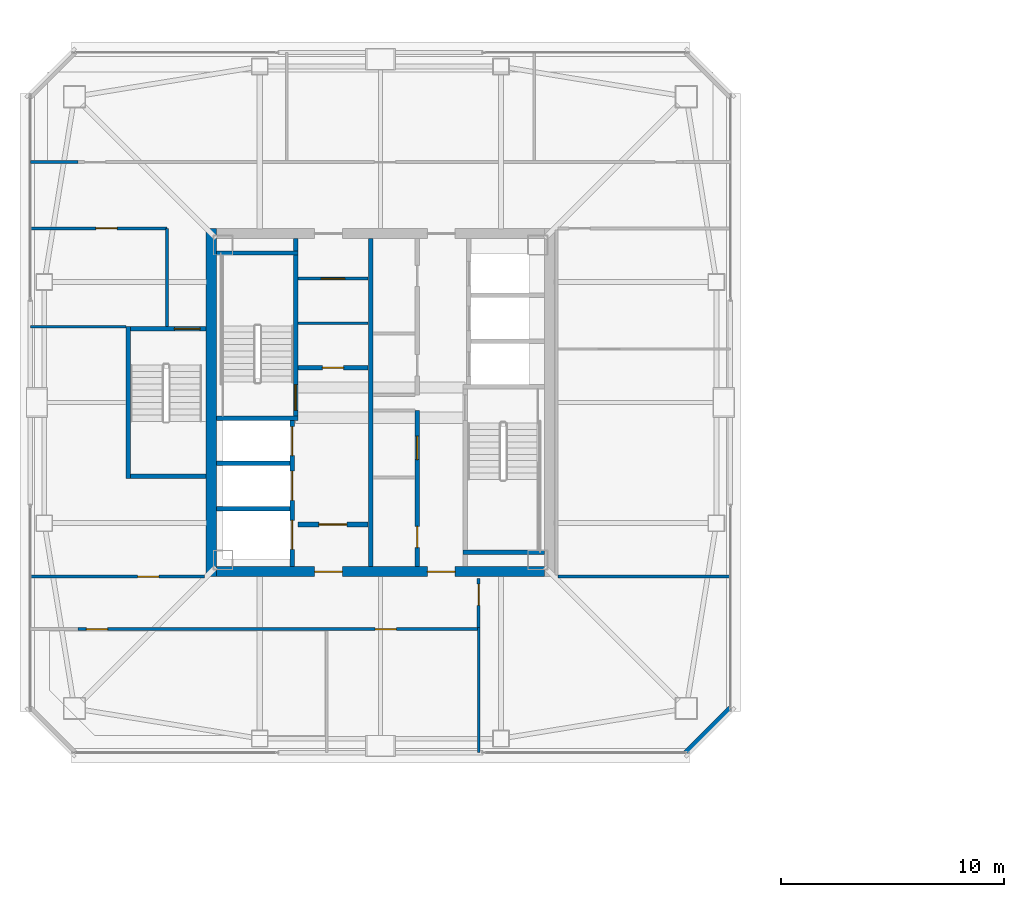
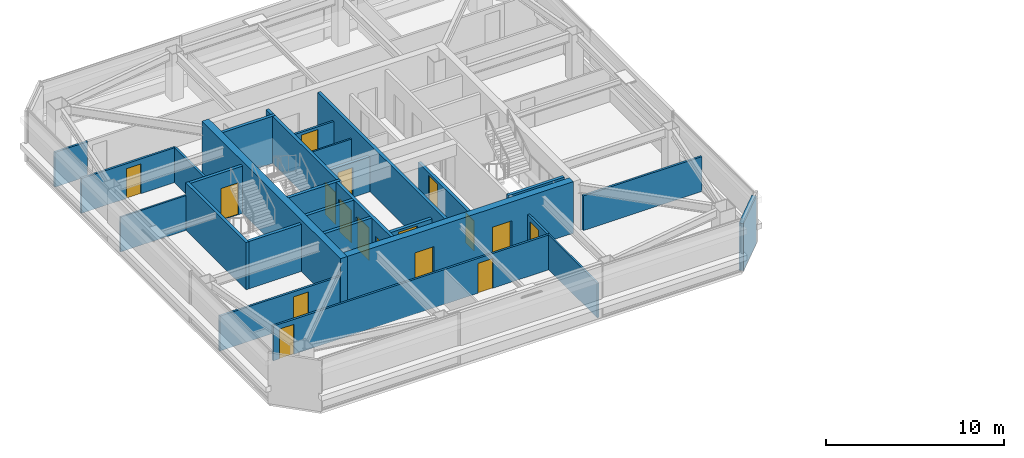
# One storey, part 29 of 39: 28 walls, 17 doors, 17 openings.
"""IFC4 building model written with IfcOpenShell, lengths in metres."""

from ifc_helpers import new_model, si_unit, direction, frame, frame_2d, origin, place, context, subcontext, project, spatial, rectangle, extrude, material, layer, layer_set, type_object, element, fill, save


model = new_model("IFC4")

# Units and contexts
model_context = context("Model", 3, precision=1e-05, world=origin(), true_north=direction((0.0, 1.0)))
body_context = subcontext(model_context, "Body", "Model", "MODEL_VIEW")
ifc_project = project(units=[si_unit("LENGTHUNIT", "METRE"), si_unit("AREAUNIT", "SQUARE_METRE"), si_unit("VOLUMEUNIT", "CUBIC_METRE"), si_unit("PLANEANGLEUNIT", "RADIAN"), si_unit("MASSUNIT", "GRAM", prefix="KILO")], contexts=[model_context])

# Site, building, storey
site_placement = place(None, origin())
site = spatial("IfcSite", under=ifc_project, at=site_placement, CompositionType="ELEMENT")
building_placement = place(site_placement, origin())
building = spatial("IfcBuilding", under=site, at=building_placement, Name="Tashvorn Skyway Center", CompositionType="ELEMENT")
storey_placement = place(building_placement, frame((0.0, 0.0, 243.25)))
storey = spatial("IfcBuildingStorey", under=building, at=storey_placement, Name="L66", CompositionType="ELEMENT", Elevation=243.25)

# Wall
ifc_material_1 = material(Name="Concrete C50/60", Category="concrete")
ifc_layer_1 = layer(ifc_material_1, 0.449951171875)
ifc_layer_set_1 = layer_set([ifc_layer_1], Name="Concrete C50/60")
wall_type_1 = type_object("IfcWallType", Name="WALL-CORE-450", PredefinedType="SHEAR", material=ifc_layer_set_1)
wall_1_placement = place(storey_placement, frame((34.425048828125, 24.199951171875, 0.0), z_axis=(0.0, 0.0, 1.0), x_axis=(0.0, 1.0, 0.0)))
element("IfcWall", 1, at=wall_1_placement, inside=storey, type_object=wall_type_1, Name="Tower 1 L66 West Core Shear Wall", PredefinedType="SHEAR", context=body_context, shape_type="SweptSolid", body=[
    extrude(rectangle(XDim=15.60009765625, YDim=0.449951171875, at=frame_2d((7.800048828125, 0.0))), origin(), (0.0, 0.0, 1.0), 3.550048828125),
])

# Wall, openings, doors
wall_2_placement = place(storey_placement, frame((49.35009765625, 24.425048828125, 0.0), z_axis=(0.0, 0.0, 1.0), x_axis=(-1.0, 0.0, 0.0)))
wall_2 = element("IfcWall", 2, at=wall_2_placement, inside=storey, type_object=wall_type_1, Name="Tower 1 L66 South Core Shear Wall", PredefinedType="SHEAR", context=body_context, shape_type="SweptSolid", body=[
    extrude(rectangle(XDim=14.7001953125, YDim=0.449951171875, at=frame_2d((7.35009765625, 0.0))), origin(), (0.0, 0.0, 1.0), 3.550048828125),
])
opening_1_placement = place(wall_2_placement, frame((9.050048828125, 0.0, 0.0)))
opening_1 = element("IfcOpeningElement", 3, at=opening_1_placement, cuts=wall_2, Name="Opening D-FFL-1250", PredefinedType="OPENING", context=body_context, shape_type="SweptSolid", body=[
    extrude(rectangle(XDim=1.25, YDim=2.25, at=frame_2d((0.625, 1.125))), frame((0.0, 0.23486328125, 0.0), z_axis=(0.0, -1.0, 0.0), x_axis=(1.0, 0.0, 0.0)), (0.0, 0.0, 1.0), 0.469970703125),
])
opening_2_placement = place(wall_2_placement, frame((4.0, 0.0, 0.0)))
opening_2 = element("IfcOpeningElement", 4, at=opening_2_placement, cuts=wall_2, Name="Opening D-FFL-1250", PredefinedType="OPENING", context=body_context, shape_type="SweptSolid", body=[
    extrude(rectangle(XDim=1.25, YDim=2.25, at=frame_2d((0.625, 1.125))), frame((0.0, 0.23486328125, 0.0), z_axis=(0.0, -1.0, 0.0), x_axis=(1.0, 0.0, 0.0)), (0.0, 0.0, 1.0), 0.469970703125),
])
ifc_material_2 = material(Name="Hollow galvanized steel fire door assembly", Category="steel")
door_type_1 = type_object("IfcDoorType", Name="DOOR-FFL-1250", OperationType="NOTDEFINED", PredefinedType="DOOR", material=ifc_material_2)
door_1_placement = place(opening_1_placement, origin())
door_1 = element("IfcDoor", 5, at=door_1_placement, inside=storey, type_object=door_type_1, Name="Tower 1 L66 Core South Firefighting Exit Door", OperationType="SINGLE_SWING_LEFT", OverallHeight=2.25, OverallWidth=1.25, PredefinedType="DOOR", context=body_context, shape_type="SweptSolid", body=[
    extrude(rectangle(XDim=1.25, YDim=2.25, at=frame_2d((0.625, 1.125))), frame((0.0, 0.02490234375, 0.0), z_axis=(0.0, -1.0, 0.0), x_axis=(1.0, 0.0, 0.0)), (0.0, 0.0, 1.0), 0.050048828125),
])
fill(opening_1, door_1)
door_2_placement = place(opening_2_placement, origin())
door_2 = element("IfcDoor", 6, at=door_2_placement, inside=storey, type_object=door_type_1, Name="Tower 1 L66 Core South Lift Lobby Door", OperationType="SINGLE_SWING_RIGHT", OverallHeight=2.25, OverallWidth=1.25, PredefinedType="DOOR", context=body_context, shape_type="SweptSolid", body=[
    extrude(rectangle(XDim=1.25, YDim=2.25, at=frame_2d((0.625, 1.125))), frame((0.0, 0.02490234375, 0.0), z_axis=(0.0, -1.0, 0.0), x_axis=(1.0, 0.0, 0.0)), (0.0, 0.0, 1.0), 0.050048828125),
])
fill(opening_2, door_2)

# Wall
ifc_material_3 = material(Name="Precast concrete C40/50", Category="concrete")
ifc_layer_2 = layer(ifc_material_3, 0.280029296875)
ifc_layer_set_2 = layer_set([ifc_layer_2], Name="Precast concrete C40/50")
wall_type_2 = type_object("IfcWallType", Name="WALL-EXT-280", PredefinedType="SOLIDWALL", material=ifc_layer_set_2)
wall_3_placement = place(storey_placement, frame((57.699951171875, 18.300048828125, 0.0), z_axis=(0.0, 0.0, 1.0), x_axis=(-0.707106781187, -0.707106781187, 0.0)))
element("IfcWall", 7, at=wall_3_placement, inside=storey, type_object=wall_type_2, Name="Tower 1 L66 SE Precast Chamfer Wall", PredefinedType="SOLIDWALL", context=body_context, shape_type="SweptSolid", body=[
    extrude(rectangle(XDim=2.828369140625, YDim=0.280029296875, at=frame_2d((1.4140625, 0.0))), origin(), (0.0, 0.0, 1.0), 3.25),
])

# Wall, opening, door
ifc_material_4 = material(Name="Concrete C40/50", Category="concrete")
ifc_layer_3 = layer(ifc_material_4, 0.219970703125)
ifc_layer_set_3 = layer_set([ifc_layer_3], Name="Concrete C40/50")
wall_type_3 = type_object("IfcWallType", Name="WALL-FFL-220", PredefinedType="SOLIDWALL", material=ifc_layer_set_3)
wall_4_placement = place(storey_placement, frame((38.300048828125, 33.56005859375, 0.0), z_axis=(0.0, 0.0, 1.0), x_axis=(1.0, 0.0, 0.0)))
wall_4 = element("IfcWall", 8, at=wall_4_placement, inside=storey, type_object=wall_type_3, Name="Tower 1 L66 Firefighting Lobby North Wall", PredefinedType="SOLIDWALL", context=body_context, shape_type="SweptSolid", body=[
    extrude(rectangle(XDim=3.14990234375, YDim=0.219970703125, at=frame_2d((1.574951171875, 0.0))), origin(), (0.0, 0.0, 1.0), 2.39306640625),
])
opening_3_placement = place(wall_4_placement, frame((1.10009765625, 0.0, 0.0)))
opening_3 = element("IfcOpeningElement", 9, at=opening_3_placement, cuts=wall_4, Name="Opening D-RT-950", PredefinedType="OPENING", context=body_context, shape_type="SweptSolid", body=[
    extrude(rectangle(XDim=0.949951171875, YDim=2.050048828125, at=frame_2d((0.47509765625, 1.02490234375))), frame((0.0, 0.119873046875, 0.0), z_axis=(0.0, -1.0, 0.0), x_axis=(1.0, 0.0, 0.0)), (0.0, 0.0, 1.0), 0.239990234375),
])
door_type_2 = type_object("IfcDoorType", Name="DOOR-RATED-950", OperationType="NOTDEFINED", PredefinedType="DOOR", material=ifc_material_2)
door_3_placement = place(opening_3_placement, origin())
door_3 = element("IfcDoor", 10, at=door_3_placement, inside=storey, type_object=door_type_2, Name="Tower 1 L66 Core Linen Store Door", OperationType="SINGLE_SWING_LEFT", OverallHeight=2.050048828125, OverallWidth=0.949951171875, PredefinedType="DOOR", context=body_context, shape_type="SweptSolid", body=[
    extrude(rectangle(XDim=0.949951171875, YDim=2.050048828125, at=frame_2d((0.47509765625, 1.02490234375))), frame((0.0, 0.02490234375, 0.0), z_axis=(0.0, -1.0, 0.0), x_axis=(1.0, 0.0, 0.0)), (0.0, 0.0, 1.0), 0.050048828125),
])
fill(opening_3, door_3)

wall_5_placement = place(storey_placement, frame((38.300048828125, 26.5400390625, 0.0), z_axis=(0.0, 0.0, 1.0), x_axis=(1.0, 0.0, 0.0)))
wall_5 = element("IfcWall", 11, at=wall_5_placement, inside=storey, type_object=wall_type_3, Name="Tower 1 L66 Firefighting Lobby South Wall", PredefinedType="SOLIDWALL", context=body_context, shape_type="SweptSolid", body=[
    extrude(rectangle(XDim=3.14990234375, YDim=0.219970703125, at=frame_2d((1.574951171875, 0.0))), origin(), (0.0, 0.0, 1.0), 2.39306640625),
])
opening_4_placement = place(wall_5_placement, frame((0.949951171875, 0.0, 0.0)))
opening_4 = element("IfcOpeningElement", 12, at=opening_4_placement, cuts=wall_5, Name="Opening D-FFL-1250", PredefinedType="OPENING", context=body_context, shape_type="SweptSolid", body=[
    extrude(rectangle(XDim=1.25, YDim=2.25, at=frame_2d((0.625, 1.125))), frame((0.0, 0.119873046875, 0.0), z_axis=(0.0, -1.0, 0.0), x_axis=(1.0, 0.0, 0.0)), (0.0, 0.0, 1.0), 0.239990234375),
])
door_4_placement = place(opening_4_placement, origin())
door_4 = element("IfcDoor", 13, at=door_4_placement, inside=storey, type_object=door_type_1, Name="Tower 1 L66 Firefighting Lobby Egress Door", OperationType="SINGLE_SWING_LEFT", OverallHeight=2.25, OverallWidth=1.25, PredefinedType="DOOR", context=body_context, shape_type="SweptSolid", body=[
    extrude(rectangle(XDim=1.25, YDim=2.25, at=frame_2d((0.625, 1.125))), frame((0.0, 0.02490234375, 0.0), z_axis=(0.0, -1.0, 0.0), x_axis=(1.0, 0.0, 0.0)), (0.0, 0.0, 1.0), 0.050048828125),
])
fill(opening_4, door_4)

# Walls
ifc_material_5 = material(Name="Gypsum board on cold-formed steel stud framing", Category="steel")
ifc_layer_4 = layer(ifc_material_5, 0.110107421875)
ifc_layer_set_4 = layer_set([ifc_layer_4], Name="Gypsum board on cold-formed steel stud framing")
wall_type_4 = type_object("IfcWallType", Name="WALL-PART-110", PredefinedType="PARTITIONING", material=ifc_layer_set_4)
wall_6_placement = place(storey_placement, frame((46.39990234375, 16.320068359375, 0.0), z_axis=(0.0, 0.0, 1.0), x_axis=(0.0, 1.0, 0.0)))
element("IfcWall", 14, at=wall_6_placement, inside=storey, type_object=wall_type_4, Name="Tower 1 L66 South-East Suite Wall", PredefinedType="PARTITIONING", context=body_context, shape_type="SweptSolid", body=[
    extrude(rectangle(XDim=5.60986328125, YDim=0.110107421875, at=frame_2d((2.804931640625, 0.0))), origin(), (0.0, 0.0, 1.0), 2.39306640625),
])
wall_7_placement = place(storey_placement, frame((30.60009765625, 35.39990234375, 0.0), z_axis=(0.0, 0.0, 1.0), x_axis=(-1.0, 0.0, 0.0)))
element("IfcWall", 15, at=wall_7_placement, inside=storey, type_object=wall_type_4, Name="Tower 1 L66 West Suite Partition 1", PredefinedType="PARTITIONING", context=body_context, shape_type="SweptSolid", body=[
    extrude(rectangle(XDim=4.280029296875, YDim=0.110107421875, at=frame_2d((2.14013671875, 0.0))), origin(), (0.0, 0.0, 1.0), 2.39306640625),
])
ifc_layer_5 = layer(ifc_material_5, 0.135009765625)
ifc_layer_set_5 = layer_set([ifc_layer_5], Name="Gypsum board on cold-formed steel stud framing")
wall_type_5 = type_object("IfcWallType", Name="WALL-PART-135", PredefinedType="PARTITIONING", material=ifc_layer_set_5)
wall_8_placement = place(storey_placement, frame((32.449951171875, 35.39990234375, 0.0), z_axis=(0.0, 0.0, 1.0), x_axis=(0.0, 1.0, 0.0)))
element("IfcWall", 16, at=wall_8_placement, inside=storey, type_object=wall_type_5, Name="Tower 1 L66 Stair 3 Access Corridor Wall", PredefinedType="PARTITIONING", context=body_context, shape_type="SweptSolid", body=[
    extrude(rectangle(XDim=4.400146484375, YDim=0.135009765625, at=frame_2d((2.2001953125, 0.0))), origin(), (0.0, 0.0, 1.0), 2.39306640625),
])
wall_9_placement = place(storey_placement, frame((26.320068359375, 42.77001953125, 0.0), z_axis=(0.0, 0.0, 1.0), x_axis=(1.0, 0.0, 0.0)))
element("IfcWall", 17, at=wall_9_placement, inside=storey, type_object=wall_type_5, Name="Tower 1 L66 North-West Suite South Wall", PredefinedType="PARTITIONING", context=body_context, shape_type="SweptSolid", body=[
    extrude(rectangle(XDim=2.1298828125, YDim=0.135009765625, at=frame_2d((1.06494140625, 0.0))), origin(), (0.0, 0.0, 1.0), 2.39306640625),
])

# Wall, openings, doors
wall_10_placement = place(storey_placement, frame((46.39990234375, 21.85009765625, 0.0), z_axis=(0.0, 0.0, 1.0), x_axis=(-1.0, 0.0, 0.0)))
wall_10 = element("IfcWall", 18, at=wall_10_placement, inside=storey, type_object=wall_type_5, Name="Tower 1 L66 South Suite Wall", PredefinedType="PARTITIONING", context=body_context, shape_type="SweptSolid", body=[
    extrude(rectangle(XDim=17.949951171875, YDim=0.135009765625, at=frame_2d((8.97509765625, 0.0))), origin(), (0.0, 0.0, 1.0), 2.39306640625),
])
opening_5_placement = place(wall_10_placement, frame((16.6201171875, 0.0, 0.0)))
opening_5 = element("IfcOpeningElement", 19, at=opening_5_placement, cuts=wall_10, Name="Opening D-INT-950", PredefinedType="OPENING", context=body_context, shape_type="SweptSolid", body=[
    extrude(rectangle(XDim=0.949951171875, YDim=2.050048828125, at=frame_2d((0.47509765625, 1.02490234375))), frame((0.0, 0.077392578125, 0.0), z_axis=(0.0, -1.0, 0.0), x_axis=(1.0, 0.0, 0.0)), (0.0, 0.0, 1.0), 0.155029296875),
])
opening_6_placement = place(wall_10_placement, frame((3.6884765625, 0.0, 0.0)))
opening_6 = element("IfcOpeningElement", 20, at=opening_6_placement, cuts=wall_10, Name="Opening D-INT-950", PredefinedType="OPENING", context=body_context, shape_type="SweptSolid", body=[
    extrude(rectangle(XDim=0.949951171875, YDim=2.050048828125, at=frame_2d((0.47509765625, 1.02490234375))), frame((0.0, 0.077392578125, 0.0), z_axis=(0.0, -1.0, 0.0), x_axis=(1.0, 0.0, 0.0)), (0.0, 0.0, 1.0), 0.155029296875),
])
ifc_material_6 = material(Name="Solid-core architectural oak veneer door")
door_type_3 = type_object("IfcDoorType", Name="DOOR-INT-950", OperationType="NOTDEFINED", PredefinedType="DOOR", material=ifc_material_6)
door_5_placement = place(opening_5_placement, origin())
door_5 = element("IfcDoor", 21, at=door_5_placement, inside=storey, type_object=door_type_3, Name="Tower 1 L66 Operations Control Room Door", OperationType="SINGLE_SWING_RIGHT", OverallHeight=2.050048828125, OverallWidth=0.949951171875, PredefinedType="DOOR", context=body_context, shape_type="SweptSolid", body=[
    extrude(rectangle(XDim=0.949951171875, YDim=2.050048828125, at=frame_2d((0.47509765625, 1.02490234375))), frame((0.0, 0.02490234375, 0.0), z_axis=(0.0, -1.0, 0.0), x_axis=(1.0, 0.0, 0.0)), (0.0, 0.0, 1.0), 0.050048828125),
])
fill(opening_5, door_5)
door_6_placement = place(opening_6_placement, origin())
door_6 = element("IfcDoor", 22, at=door_6_placement, inside=storey, type_object=door_type_3, Name="Tower 1 L66 Catering Pantry Door", OperationType="SINGLE_SWING_LEFT", OverallHeight=2.050048828125, OverallWidth=0.949951171875, PredefinedType="DOOR", context=body_context, shape_type="SweptSolid", body=[
    extrude(rectangle(XDim=0.949951171875, YDim=2.050048828125, at=frame_2d((0.47509765625, 1.02490234375))), frame((0.0, 0.02490234375, 0.0), z_axis=(0.0, -1.0, 0.0), x_axis=(1.0, 0.0, 0.0)), (0.0, 0.0, 1.0), 0.050048828125),
])
fill(opening_6, door_6)

# Wall, opening, door
wall_11_placement = place(storey_placement, frame((46.39990234375, 24.1201171875, 0.0), z_axis=(0.0, 0.0, 1.0), x_axis=(0.0, -1.0, 0.0)))
wall_11 = element("IfcWall", 23, at=wall_11_placement, inside=storey, type_object=wall_type_5, Name="Tower 1 L66 South Gallery End Wall", PredefinedType="PARTITIONING", context=body_context, shape_type="SweptSolid", body=[
    extrude(rectangle(XDim=2.190185546875, YDim=0.135009765625, at=frame_2d((1.09521484375, 0.0))), origin(), (0.0, 0.0, 1.0), 2.39306640625),
])
opening_7_placement = place(wall_11_placement, frame((0.25, 0.0, 0.0)))
opening_7 = element("IfcOpeningElement", 24, at=opening_7_placement, cuts=wall_11, Name="Opening D-INT-950", PredefinedType="OPENING", context=body_context, shape_type="SweptSolid", body=[
    extrude(rectangle(XDim=0.949951171875, YDim=2.050048828125, at=frame_2d((0.47509765625, 1.02490234375))), frame((0.0, 0.077392578125, 0.0), z_axis=(0.0, -1.0, 0.0), x_axis=(1.0, 0.0, 0.0)), (0.0, 0.0, 1.0), 0.155029296875),
])
door_7_placement = place(opening_7_placement, origin())
door_7 = element("IfcDoor", 25, at=door_7_placement, inside=storey, type_object=door_type_3, Name="Tower 1 L66 Wellness Clinic Door", OperationType="SINGLE_SWING_RIGHT", OverallHeight=2.050048828125, OverallWidth=0.949951171875, PredefinedType="DOOR", context=body_context, shape_type="SweptSolid", body=[
    extrude(rectangle(XDim=0.949951171875, YDim=2.050048828125, at=frame_2d((0.47509765625, 1.02490234375))), frame((0.0, 0.02490234375, 0.0), z_axis=(0.0, -1.0, 0.0), x_axis=(1.0, 0.0, 0.0)), (0.0, 0.0, 1.0), 0.050048828125),
])
fill(opening_7, door_7)

# Wall
wall_12_placement = place(storey_placement, frame((49.9599609375, 24.199951171875, 0.0), z_axis=(0.0, 0.0, 1.0), x_axis=(1.0, 0.0, 0.0)))
element("IfcWall", 26, at=wall_12_placement, inside=storey, type_object=wall_type_5, Name="Tower 1 L66 East Suite South Wall", PredefinedType="PARTITIONING", context=body_context, shape_type="SweptSolid", body=[
    extrude(rectangle(XDim=7.719970703125, YDim=0.135009765625, at=frame_2d((3.85986328125, 0.0))), origin(), (0.0, 0.0, 1.0), 2.39306640625),
])

# Wall, opening, door
wall_13_placement = place(storey_placement, frame((32.449951171875, 39.800048828125, 0.0), z_axis=(0.0, 0.0, 1.0), x_axis=(-1.0, 0.0, 0.0)))
wall_13 = element("IfcWall", 27, at=wall_13_placement, inside=storey, type_object=wall_type_5, Name="Tower 1 L66 West Suite North Wall", PredefinedType="PARTITIONING", context=body_context, shape_type="SweptSolid", body=[
    extrude(rectangle(XDim=6.1298828125, YDim=0.135009765625, at=frame_2d((3.06494140625, 0.0))), origin(), (0.0, 0.0, 1.0), 2.39306640625),
])
opening_8_placement = place(wall_13_placement, frame((2.239990234375, 0.0, 0.0)))
opening_8 = element("IfcOpeningElement", 28, at=opening_8_placement, cuts=wall_13, Name="Opening D-INT-950", PredefinedType="OPENING", context=body_context, shape_type="SweptSolid", body=[
    extrude(rectangle(XDim=0.949951171875, YDim=2.050048828125, at=frame_2d((0.47509765625, 1.02490234375))), frame((0.0, 0.077392578125, 0.0), z_axis=(0.0, -1.0, 0.0), x_axis=(1.0, 0.0, 0.0)), (0.0, 0.0, 1.0), 0.155029296875),
])
door_8_placement = place(opening_8_placement, origin())
door_8 = element("IfcDoor", 29, at=door_8_placement, inside=storey, type_object=door_type_3, Name="Tower 1 L66 Boardroom Door", OperationType="SINGLE_SWING_LEFT", OverallHeight=2.050048828125, OverallWidth=0.949951171875, PredefinedType="DOOR", context=body_context, shape_type="SweptSolid", body=[
    extrude(rectangle(XDim=0.949951171875, YDim=2.050048828125, at=frame_2d((0.47509765625, 1.02490234375))), frame((0.0, 0.02490234375, 0.0), z_axis=(0.0, -1.0, 0.0), x_axis=(1.0, 0.0, 0.0)), (0.0, 0.0, 1.0), 0.050048828125),
])
fill(opening_8, door_8)

wall_14_placement = place(storey_placement, frame((26.320068359375, 24.199951171875, 0.0), z_axis=(0.0, 0.0, 1.0), x_axis=(1.0, 0.0, 0.0)))
wall_14 = element("IfcWall", 30, at=wall_14_placement, inside=storey, type_object=wall_type_5, Name="Tower 1 L66 West Suite South Wall", PredefinedType="PARTITIONING", context=body_context, shape_type="SweptSolid", body=[
    extrude(rectangle(XDim=7.800048828125, YDim=0.135009765625, at=frame_2d((3.89990234375, 0.0))), origin(), (0.0, 0.0, 1.0), 2.39306640625),
])
opening_9_placement = place(wall_14_placement, frame((4.804931640625, 0.0, 0.0)))
opening_9 = element("IfcOpeningElement", 31, at=opening_9_placement, cuts=wall_14, Name="Opening D-INT-950", PredefinedType="OPENING", context=body_context, shape_type="SweptSolid", body=[
    extrude(rectangle(XDim=0.949951171875, YDim=2.050048828125, at=frame_2d((0.47509765625, 1.02490234375))), frame((0.0, 0.077392578125, 0.0), z_axis=(0.0, -1.0, 0.0), x_axis=(1.0, 0.0, 0.0)), (0.0, 0.0, 1.0), 0.155029296875),
])
door_9_placement = place(opening_9_placement, origin())
door_9 = element("IfcDoor", 32, at=door_9_placement, inside=storey, type_object=door_type_3, Name="Tower 1 L66 Public Restroom Door", OperationType="SINGLE_SWING_RIGHT", OverallHeight=2.050048828125, OverallWidth=0.949951171875, PredefinedType="DOOR", context=body_context, shape_type="SweptSolid", body=[
    extrude(rectangle(XDim=0.949951171875, YDim=2.050048828125, at=frame_2d((0.47509765625, 1.02490234375))), frame((0.0, 0.02490234375, 0.0), z_axis=(0.0, -1.0, 0.0), x_axis=(1.0, 0.0, 0.0)), (0.0, 0.0, 1.0), 0.050048828125),
])
fill(opening_9, door_9)

# Wall
ifc_layer_6 = layer(ifc_material_5, 0.110107421875)
ifc_layer_set_6 = layer_set([ifc_layer_6], Name="Gypsum board on cold-formed steel stud framing")
wall_type_6 = type_object("IfcWallType", Name="WALL-RATED-110", PredefinedType="PARTITIONING", material=ifc_layer_set_6)
wall_15_placement = place(storey_placement, frame((38.300048828125, 35.550048828125, 0.0), z_axis=(0.0, 0.0, 1.0), x_axis=(1.0, 0.0, 0.0)))
element("IfcWall", 33, at=wall_15_placement, inside=storey, type_object=wall_type_6, Name="Tower 1 L66 Core Transverse Wall", PredefinedType="PARTITIONING", context=body_context, shape_type="SweptSolid", body=[
    extrude(rectangle(XDim=3.14990234375, YDim=0.110107421875, at=frame_2d((1.574951171875, 0.0))), origin(), (0.0, 0.0, 1.0), 2.39306640625),
])

# Wall, opening, door
ifc_layer_7 = layer(ifc_material_5, 0.135009765625)
ifc_layer_set_7 = layer_set([ifc_layer_7], Name="Gypsum board on cold-formed steel stud framing")
wall_type_7 = type_object("IfcWallType", Name="WALL-RATED-135", PredefinedType="PARTITIONING", material=ifc_layer_set_7)
wall_16_placement = place(storey_placement, frame((38.300048828125, 37.550048828125, 0.0), z_axis=(0.0, 0.0, 1.0), x_axis=(1.0, 0.0, 0.0)))
wall_16 = element("IfcWall", 34, at=wall_16_placement, inside=storey, type_object=wall_type_7, Name="Tower 1 L66 Core Service Lobby Wall", PredefinedType="PARTITIONING", context=body_context, shape_type="SweptSolid", body=[
    extrude(rectangle(XDim=3.14990234375, YDim=0.135009765625, at=frame_2d((1.574951171875, 0.0))), origin(), (0.0, 0.0, 1.0), 2.39306640625),
])
opening_10_placement = place(wall_16_placement, frame((1.050048828125, 0.0, 0.0)))
opening_10 = element("IfcOpeningElement", 35, at=opening_10_placement, cuts=wall_16, Name="Opening D-RT-1050", PredefinedType="OPENING", context=body_context, shape_type="SweptSolid", body=[
    extrude(rectangle(XDim=1.050048828125, YDim=2.199951171875, at=frame_2d((0.52490234375, 1.10009765625))), frame((0.0, 0.077392578125, 0.0), z_axis=(0.0, -1.0, 0.0), x_axis=(1.0, 0.0, 0.0)), (0.0, 0.0, 1.0), 0.155029296875),
])
door_type_4 = type_object("IfcDoorType", Name="DOOR-RATED-1050", OperationType="NOTDEFINED", PredefinedType="DOOR", material=ifc_material_2)
door_10_placement = place(opening_10_placement, origin())
door_10 = element("IfcDoor", 36, at=door_10_placement, inside=storey, type_object=door_type_4, Name="Tower 1 L66 Core Accessible WC Door", OperationType="SINGLE_SWING_RIGHT", OverallHeight=2.199951171875, OverallWidth=1.050048828125, PredefinedType="DOOR", context=body_context, shape_type="SweptSolid", body=[
    extrude(rectangle(XDim=1.050048828125, YDim=2.199951171875, at=frame_2d((0.52490234375, 1.10009765625))), frame((0.0, 0.02490234375, 0.0), z_axis=(0.0, -1.0, 0.0), x_axis=(1.0, 0.0, 0.0)), (0.0, 0.0, 1.0), 0.050048828125),
])
fill(opening_10, door_10)

# Walls
ifc_layer_8 = layer(ifc_material_4, 0.199951171875)
ifc_layer_set_8 = layer_set([ifc_layer_8], Name="Concrete C40/50")
wall_type_8 = type_object("IfcWallType", Name="WALL-SHAFT-200", PredefinedType="SOLIDWALL", material=ifc_layer_set_8)
for number, where, z_axis, x_axis, name in (
    (37, (34.64990234375, 27.25, 0.0), (0.0, 0.0, 1.0), (1.0, 0.0, 0.0), "Tower 1 L66 FSAE Shaft Divider"),
    (38, (34.64990234375, 29.280029296875, 0.0), (0.0, 0.0, 1.0), (1.0, 0.0, 0.0), "Tower 1 L66 FSAE Shaft Divider"),
):
    element("IfcWall", number, at=place(storey_placement, frame(where, z_axis=z_axis, x_axis=x_axis)), inside=storey, type_object=wall_type_8, Name=name, PredefinedType="SOLIDWALL", context=body_context, shape_type="SweptSolid", body=[
        extrude(rectangle(XDim=3.300048828125, YDim=0.199951171875, at=frame_2d((1.64990234375, 0.0))), origin(), (0.0, 0.0, 1.0), 3.25),
    ])

# Wall, openings, doors
wall_17_placement = place(storey_placement, frame((43.64990234375, 24.64990234375, 0.0), z_axis=(0.0, 0.0, 1.0), x_axis=(0.0, 1.0, 0.0)))
wall_17 = element("IfcWall", 39, at=wall_17_placement, inside=storey, type_object=wall_type_8, Name="Tower 1 L66 Low-Rise Core Wall", PredefinedType="SOLIDWALL", context=body_context, shape_type="SweptSolid", body=[
    extrude(rectangle(XDim=7.0, YDim=0.199951171875, at=frame_2d((3.5, 0.0))), origin(), (0.0, 0.0, 1.0), 2.39306640625),
])
opening_11_placement = place(wall_17_placement, frame((0.85009765625, 0.0, 0.0)))
opening_11 = element("IfcOpeningElement", 40, at=opening_11_placement, cuts=wall_17, Name="Opening D-RT-950", PredefinedType="OPENING", context=body_context, shape_type="SweptSolid", body=[
    extrude(rectangle(XDim=0.949951171875, YDim=2.050048828125, at=frame_2d((0.47509765625, 1.02490234375))), frame((0.0, 0.10986328125, 0.0), z_axis=(0.0, -1.0, 0.0), x_axis=(1.0, 0.0, 0.0)), (0.0, 0.0, 1.0), 0.219970703125),
])
opening_12_placement = place(wall_17_placement, frame((4.800048828125, 0.0, 0.0)))
opening_12 = element("IfcOpeningElement", 41, at=opening_12_placement, cuts=wall_17, Name="Opening D-RT-1050", PredefinedType="OPENING", context=body_context, shape_type="SweptSolid", body=[
    extrude(rectangle(XDim=1.050048828125, YDim=2.199951171875, at=frame_2d((0.52490234375, 1.10009765625))), frame((0.0, 0.10986328125, 0.0), z_axis=(0.0, -1.0, 0.0), x_axis=(1.0, 0.0, 0.0)), (0.0, 0.0, 1.0), 0.219970703125),
])
door_11_placement = place(opening_12_placement, origin())
door_11 = element("IfcDoor", 42, at=door_11_placement, inside=storey, type_object=door_type_4, Name="Tower 1 L66 Freed Core Room Door", OperationType="SINGLE_SWING_RIGHT", OverallHeight=2.199951171875, OverallWidth=1.050048828125, PredefinedType="DOOR", context=body_context, shape_type="SweptSolid", body=[
    extrude(rectangle(XDim=1.050048828125, YDim=2.199951171875, at=frame_2d((0.52490234375, 1.10009765625))), frame((0.0, 0.02490234375, 0.0), z_axis=(0.0, -1.0, 0.0), x_axis=(1.0, 0.0, 0.0)), (0.0, 0.0, 1.0), 0.050048828125),
])
fill(opening_12, door_11)
door_12_placement = place(opening_11_placement, origin())
door_12 = element("IfcDoor", 43, at=door_12_placement, inside=storey, type_object=door_type_2, Name="Tower 1 L66 Core Print Room Door", OperationType="SINGLE_SWING_LEFT", OverallHeight=2.050048828125, OverallWidth=0.949951171875, PredefinedType="DOOR", context=body_context, shape_type="SweptSolid", body=[
    extrude(rectangle(XDim=0.949951171875, YDim=2.050048828125, at=frame_2d((0.47509765625, 1.02490234375))), frame((0.0, 0.02490234375, 0.0), z_axis=(0.0, -1.0, 0.0), x_axis=(1.0, 0.0, 0.0)), (0.0, 0.0, 1.0), 0.050048828125),
])
fill(opening_11, door_12)

# Wall, opening, door
ifc_layer_9 = layer(ifc_material_4, 0.199951171875)
ifc_layer_set_9 = layer_set([ifc_layer_9], Name="Concrete C40/50")
wall_type_9 = type_object("IfcWallType", Name="WALL-STSHF-200", PredefinedType="SHEAR", material=ifc_layer_set_9)
wall_18_placement = place(storey_placement, frame((38.199951171875, 31.199951171875, 0.0), z_axis=(0.0, 0.0, 1.0), x_axis=(0.0, 1.0, 0.0)))
wall_18 = element("IfcWall", 44, at=wall_18_placement, inside=storey, type_object=wall_type_9, Name="Tower 1 L66 Stair 1 Enclosure Wall", PredefinedType="SHEAR", context=body_context, shape_type="SweptSolid", body=[
    extrude(rectangle(XDim=8.150146484375, YDim=0.199951171875, at=frame_2d((4.0751953125, 0.0))), origin(), (0.0, 0.0, 1.0), 3.25),
])
opening_13_placement = place(wall_18_placement, frame((0.449951171875, 0.0, 0.0)))
opening_13 = element("IfcOpeningElement", 45, at=opening_13_placement, cuts=wall_18, Name="Opening D-ST-1150", PredefinedType="OPENING", context=body_context, shape_type="SweptSolid", body=[
    extrude(rectangle(XDim=1.14990234375, YDim=2.199951171875, at=frame_2d((0.574951171875, 1.10009765625))), frame((0.0, 0.10986328125, 0.0), z_axis=(0.0, -1.0, 0.0), x_axis=(1.0, 0.0, 0.0)), (0.0, 0.0, 1.0), 0.219970703125),
])
door_type_5 = type_object("IfcDoorType", Name="DOOR-STAIR-1150", OperationType="NOTDEFINED", PredefinedType="DOOR", material=ifc_material_2)
door_13_placement = place(opening_13_placement, origin())
door_13 = element("IfcDoor", 46, at=door_13_placement, inside=storey, type_object=door_type_5, Name="Tower 1 L66 Exit Stair 1 Door", OperationType="SINGLE_SWING_RIGHT", OverallHeight=2.199951171875, OverallWidth=1.14990234375, PredefinedType="DOOR", context=body_context, shape_type="SweptSolid", body=[
    extrude(rectangle(XDim=1.14990234375, YDim=2.199951171875, at=frame_2d((0.574951171875, 1.10009765625))), frame((0.0, 0.02490234375, 0.0), z_axis=(0.0, -1.0, 0.0), x_axis=(1.0, 0.0, 0.0)), (0.0, 0.0, 1.0), 0.050048828125),
])
fill(opening_13, door_13)

# Walls
for number, where, z_axis, x_axis, name in (
    (47, (34.64990234375, 31.300048828125, 0.0), (0.0, 0.0, 1.0), (1.0, 0.0, 0.0), "Tower 1 L66 Stair 1 South Wall"),
    (48, (34.64990234375, 38.699951171875, 0.0), (0.0, 0.0, 1.0), (1.0, 0.0, 0.0), "Tower 1 L66 Stair 1 North Wall"),
    (49, (45.699951171875, 25.300048828125, 0.0), (0.0, 0.0, 1.0), (1.0, 0.0, 0.0), "Tower 1 L66 Stair 2 South Wall"),
):
    element("IfcWall", number, at=place(storey_placement, frame(where, z_axis=z_axis, x_axis=x_axis)), inside=storey, type_object=wall_type_9, Name=name, PredefinedType="SHEAR", context=body_context, shape_type="SweptSolid", body=[
        extrude(rectangle(XDim=3.650146484375, YDim=0.199951171875, at=frame_2d((1.8251953125, 0.0))), origin(), (0.0, 0.0, 1.0), 3.25),
    ])
wall_19_placement = place(storey_placement, frame((41.56005859375, 24.64990234375, 0.0), z_axis=(0.0, 0.0, 1.0), x_axis=(0.0, 1.0, 0.0)))
element("IfcWall", 50, at=wall_19_placement, inside=storey, type_object=wall_type_9, Name="Tower 1 L66 Firefighting Lobby East Smoke Barrier", PredefinedType="SHEAR", context=body_context, shape_type="SweptSolid", body=[
    extrude(rectangle(XDim=14.7001953125, YDim=0.199951171875, at=frame_2d((7.35009765625, 0.0))), origin(), (0.0, 0.0, 1.0), 3.25),
])

# Wall, openings, doors
wall_20_placement = place(storey_placement, frame((38.050048828125, 24.64990234375, 0.0), z_axis=(0.0, 0.0, 1.0), x_axis=(0.0, 1.0, 0.0)))
wall_20 = element("IfcWall", 51, at=wall_20_placement, inside=storey, type_object=wall_type_9, Name="Tower 1 L66 FSAE and Goods Shaft Front Wall", PredefinedType="SHEAR", context=body_context, shape_type="SweptSolid", body=[
    extrude(rectangle(XDim=6.550048828125, YDim=0.199951171875, at=frame_2d((3.27490234375, 0.0))), origin(), (0.0, 0.0, 1.0), 3.25),
])
opening_14_placement = place(wall_20_placement, frame((4.97509765625, 0.0, 0.0)))
opening_14 = element("IfcOpeningElement", 52, at=opening_14_placement, cuts=wall_20, Name="Opening LD-FF-T1-1-L66", PredefinedType="OPENING", context=body_context, shape_type="SweptSolid", body=[
    extrude(rectangle(XDim=1.300048828125, YDim=2.25, at=frame_2d((0.64990234375, 1.125))), frame((0.0, 0.10986328125, 0.0), z_axis=(0.0, -1.0, 0.0), x_axis=(1.0, 0.0, 0.0)), (0.0, 0.0, 1.0), 0.219970703125),
])
opening_15_placement = place(wall_20_placement, frame((2.97509765625, 0.0, 0.0)))
opening_15 = element("IfcOpeningElement", 53, at=opening_15_placement, cuts=wall_20, Name="Opening LD-FF-T1-2-L66", PredefinedType="OPENING", context=body_context, shape_type="SweptSolid", body=[
    extrude(rectangle(XDim=1.300048828125, YDim=2.25, at=frame_2d((0.64990234375, 1.125))), frame((0.0, 0.10986328125, 0.0), z_axis=(0.0, -1.0, 0.0), x_axis=(1.0, 0.0, 0.0)), (0.0, 0.0, 1.0), 0.219970703125),
])
opening_16_placement = place(wall_20_placement, frame((0.77490234375, 0.0, 0.0)))
opening_16 = element("IfcOpeningElement", 54, at=opening_16_placement, cuts=wall_20, Name="Opening LD-GD-T1-1-L66", PredefinedType="OPENING", context=body_context, shape_type="SweptSolid", body=[
    extrude(rectangle(XDim=1.300048828125, YDim=2.25, at=frame_2d((0.64990234375, 1.125))), frame((0.0, 0.10986328125, 0.0), z_axis=(0.0, -1.0, 0.0), x_axis=(1.0, 0.0, 0.0)), (0.0, 0.0, 1.0), 0.219970703125),
])
ifc_material_7 = material(Name="Stainless steel heavy-duty landing door", Category="steel")
door_type_6 = type_object("IfcDoorType", Name="DOOR-LIFT-1300", OperationType="SLIDING_TO_LEFT", PredefinedType="DOOR", material=ifc_material_7)
door_14_placement = place(opening_14_placement, origin())
door_14 = element("IfcDoor", 55, at=door_14_placement, inside=storey, type_object=door_type_6, Name="Lift FF-T1-1 L66 Landing Door", OperationType="SLIDING_TO_LEFT", OverallHeight=2.25, OverallWidth=1.300048828125, PredefinedType="DOOR", context=body_context, shape_type="SweptSolid", body=[
    extrude(rectangle(XDim=1.300048828125, YDim=2.25, at=frame_2d((0.64990234375, 1.125))), frame((0.0, 0.02490234375, 0.0), z_axis=(0.0, -1.0, 0.0), x_axis=(1.0, 0.0, 0.0)), (0.0, 0.0, 1.0), 0.050048828125),
])
fill(opening_14, door_14)
door_15_placement = place(opening_15_placement, origin())
door_15 = element("IfcDoor", 56, at=door_15_placement, inside=storey, type_object=door_type_6, Name="Lift FF-T1-2 L66 Landing Door", OperationType="SLIDING_TO_LEFT", OverallHeight=2.25, OverallWidth=1.300048828125, PredefinedType="DOOR", context=body_context, shape_type="SweptSolid", body=[
    extrude(rectangle(XDim=1.300048828125, YDim=2.25, at=frame_2d((0.64990234375, 1.125))), frame((0.0, 0.02490234375, 0.0), z_axis=(0.0, -1.0, 0.0), x_axis=(1.0, 0.0, 0.0)), (0.0, 0.0, 1.0), 0.050048828125),
])
fill(opening_15, door_15)
door_16_placement = place(opening_16_placement, origin())
door_16 = element("IfcDoor", 57, at=door_16_placement, inside=storey, type_object=door_type_6, Name="Lift GD-T1-1 L66 Landing Door", OperationType="SLIDING_TO_LEFT", OverallHeight=2.25, OverallWidth=1.300048828125, PredefinedType="DOOR", context=body_context, shape_type="SweptSolid", body=[
    extrude(rectangle(XDim=1.300048828125, YDim=2.25, at=frame_2d((0.64990234375, 1.125))), frame((0.0, 0.02490234375, 0.0), z_axis=(0.0, -1.0, 0.0), x_axis=(1.0, 0.0, 0.0)), (0.0, 0.0, 1.0), 0.050048828125),
])
fill(opening_16, door_16)

# Wall
wall_21_placement = place(storey_placement, frame((30.699951171875, 28.60009765625, 0.0), z_axis=(0.0, 0.0, 1.0), x_axis=(0.0, 1.0, 0.0)))
element("IfcWall", 58, at=wall_21_placement, inside=storey, type_object=wall_type_9, Name="Tower 1 L66 Stair 3 Outer Wall", PredefinedType="SHEAR", context=body_context, shape_type="SweptSolid", body=[
    extrude(rectangle(XDim=6.7998046875, YDim=0.199951171875, at=frame_2d((3.39990234375, 0.0))), origin(), (0.0, 0.0, 1.0), 3.25),
])

# Wall, opening, door
wall_22_placement = place(storey_placement, frame((34.199951171875, 35.300048828125, 0.0), z_axis=(0.0, 0.0, 1.0), x_axis=(-1.0, 0.0, 0.0)))
wall_22 = element("IfcWall", 59, at=wall_22_placement, inside=storey, type_object=wall_type_9, Name="Tower 1 L66 Stair 3 Enclosure Wall", PredefinedType="SHEAR", context=body_context, shape_type="SweptSolid", body=[
    extrude(rectangle(XDim=3.39990234375, YDim=0.199951171875, at=frame_2d((1.699951171875, 0.0))), origin(), (0.0, 0.0, 1.0), 3.25),
])
opening_17_placement = place(wall_22_placement, frame((0.27490234375, 0.0, 0.0)))
opening_17 = element("IfcOpeningElement", 60, at=opening_17_placement, cuts=wall_22, Name="Opening D-ST-1150", PredefinedType="OPENING", context=body_context, shape_type="SweptSolid", body=[
    extrude(rectangle(XDim=1.14990234375, YDim=2.199951171875, at=frame_2d((0.574951171875, 1.10009765625))), frame((0.0, 0.10986328125, 0.0), z_axis=(0.0, -1.0, 0.0), x_axis=(1.0, 0.0, 0.0)), (0.0, 0.0, 1.0), 0.219970703125),
])
door_17_placement = place(opening_17_placement, origin())
door_17 = element("IfcDoor", 61, at=door_17_placement, inside=storey, type_object=door_type_5, Name="Tower 1 L66 Exit Stair 3 Door", OperationType="SINGLE_SWING_RIGHT", OverallHeight=2.199951171875, OverallWidth=1.14990234375, PredefinedType="DOOR", context=body_context, shape_type="SweptSolid", body=[
    extrude(rectangle(XDim=1.14990234375, YDim=2.199951171875, at=frame_2d((0.574951171875, 1.10009765625))), frame((0.0, 0.02490234375, 0.0), z_axis=(0.0, -1.0, 0.0), x_axis=(1.0, 0.0, 0.0)), (0.0, 0.0, 1.0), 0.050048828125),
])
fill(opening_17, door_17)

# Wall
wall_23_placement = place(storey_placement, frame((30.800048828125, 28.699951171875, 0.0), z_axis=(0.0, 0.0, 1.0), x_axis=(1.0, 0.0, 0.0)))
element("IfcWall", 62, at=wall_23_placement, inside=storey, type_object=wall_type_9, Name="Tower 1 L66 Stair 3 South Wall", PredefinedType="SHEAR", context=body_context, shape_type="SweptSolid", body=[
    extrude(rectangle(XDim=3.39990234375, YDim=0.199951171875, at=frame_2d((1.699951171875, 0.0))), origin(), (0.0, 0.0, 1.0), 3.25),
])

save(model, "model.ifc")
